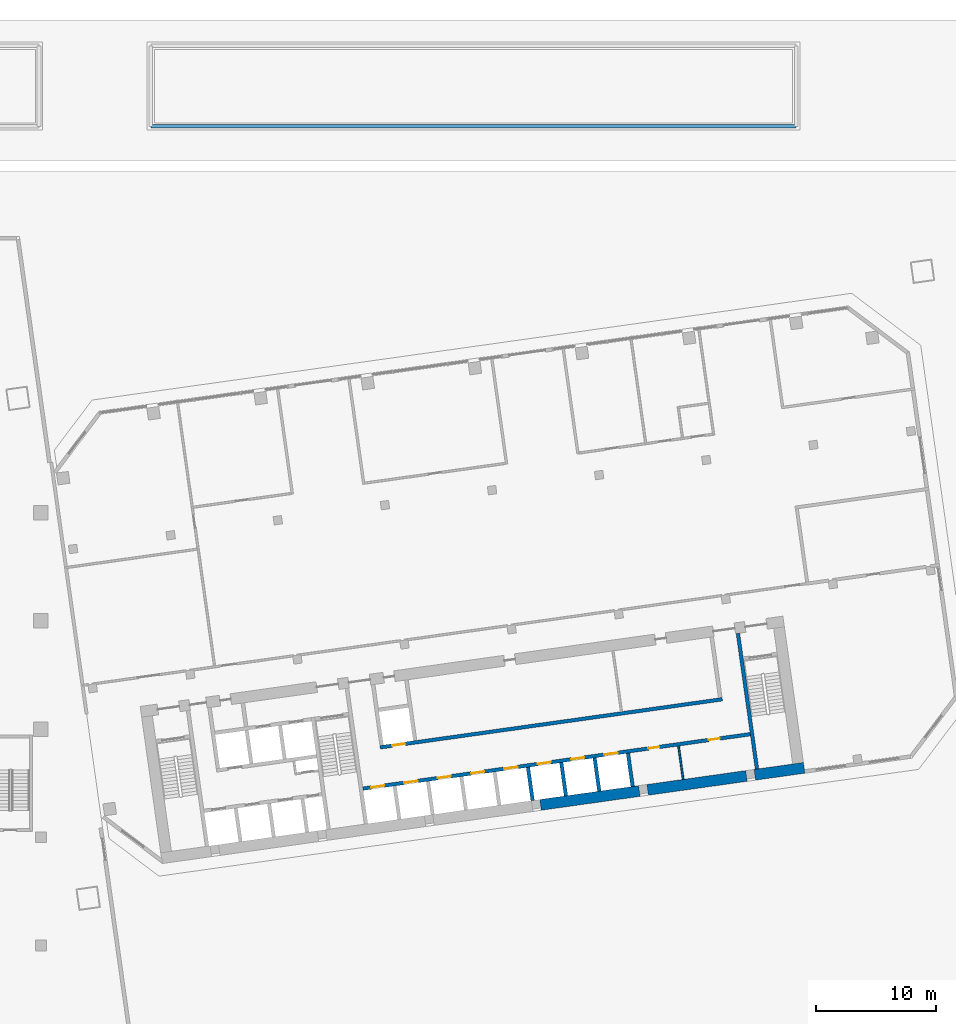
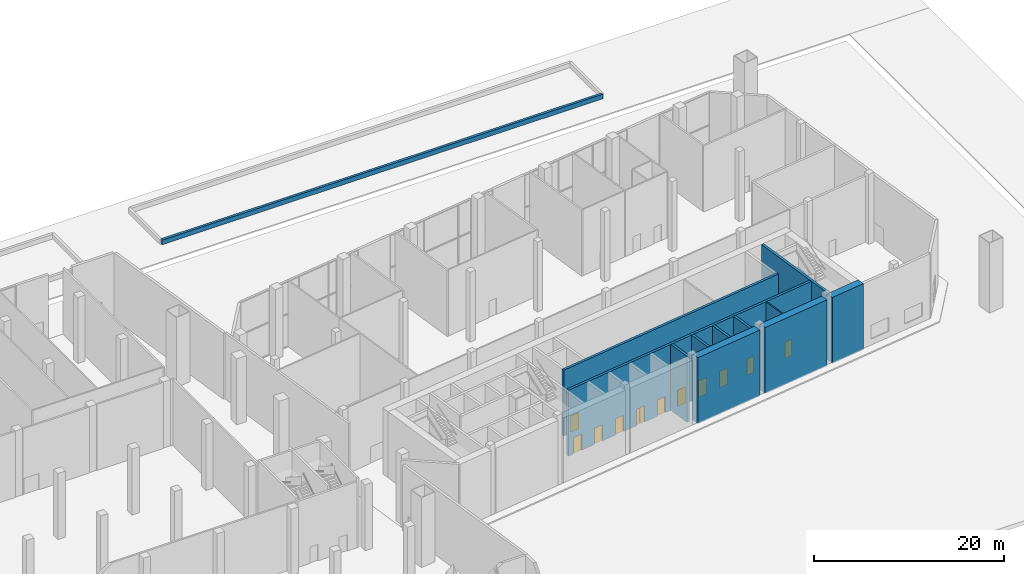
# One storey, part 27 of 34: 12 walls, 11 doors, 11 openings.
"""IFC4 building model written with IfcOpenShell, lengths in metres."""

from ifc_helpers import new_model, si_unit, direction, frame, frame_2d, origin, place, context, subcontext, project, spatial, rectangle, extrude, material, layer, layer_set, type_object, element, fill, save


model = new_model("IFC4")

# Units and contexts
model_context = context("Model", 3, precision=1e-05, world=origin(), true_north=direction((0.0, 1.0)))
body_context = subcontext(model_context, "Body", "Model", "MODEL_VIEW")
ifc_project = project(units=[si_unit("LENGTHUNIT", "METRE"), si_unit("AREAUNIT", "SQUARE_METRE"), si_unit("VOLUMEUNIT", "CUBIC_METRE"), si_unit("PLANEANGLEUNIT", "RADIAN"), si_unit("MASSUNIT", "GRAM", prefix="KILO")], contexts=[model_context])

# Site, building, storey
site_placement = place(None, origin())
site = spatial("IfcSite", under=ifc_project, at=site_placement, CompositionType="ELEMENT")
building_placement = place(site_placement, origin())
building = spatial("IfcBuilding", under=site, at=building_placement, Name="Mirante Cascada Hotel Towers", CompositionType="ELEMENT")
storey_placement = place(building_placement, origin())
storey = spatial("IfcBuildingStorey", under=building, at=storey_placement, Name="L00", CompositionType="ELEMENT", Elevation=0.0)

# Walls
ifc_material_1 = material(Name="Masonry block", Category="masonry")
ifc_layer_1 = layer(ifc_material_1, 0.15)
ifc_layer_set_1 = layer_set([ifc_layer_1], Name="Core room partition 150 block EI 30")
wall_type_1 = type_object("IfcWallType", Name="Core room partition 150 block EI 30", PredefinedType="PARTITIONING", material=ifc_layer_set_1)
wall_1_placement = place(storey_placement, frame((80.448, -13.1879, 0.0), z_axis=(0.0, 0.0, 1.0), x_axis=(-0.139176, 0.9902677, 0.0)))
element("IfcWall", 1, at=wall_1_placement, inside=storey, type_object=wall_type_1, Name="Core wall partition T2 L00 4", PredefinedType="PARTITIONING", context=body_context, shape_type="SweptSolid", body=[
    extrude(rectangle(XDim=2.8001, YDim=0.15, at=frame_2d((1.4, 0.0))), origin(), (0.0, 0.0, 1.0), 8.5),
])
ifc_material_2 = material(Name="Concrete C25/30", Category="concrete")
ifc_layer_2 = layer(ifc_material_2, 0.3)
ifc_layer_set_2 = layer_set([ifc_layer_2], Name="Planter kerb wall 300 concrete C25/30")
wall_type_2 = type_object("IfcWallType", Name="Planter kerb wall 300 concrete C25/30", PredefinedType="PARAPET", material=ifc_layer_set_2)
wall_2_placement = place(storey_placement, frame((36.15, 41.15, 0.0), z_axis=(0.0, 0.0, 1.0), x_axis=(1.0, 0.0, 0.0)))
element("IfcWall", 2, at=wall_2_placement, inside=storey, type_object=wall_type_2, Name="PLANTER garden court bed 4", PredefinedType="PARAPET", context=body_context, shape_type="SweptSolid", body=[
    extrude(rectangle(XDim=53.7, YDim=0.3, at=frame_2d((26.85, 0.0))), origin(), (0.0, 0.0, 1.0), 0.6),
])
ifc_material_3 = material(Name="Concrete C50/60", Category="concrete")
ifc_layer_3 = layer(ifc_material_3, 0.3)
ifc_layer_set_3 = layer_set([ifc_layer_3], Name="RC core wall 300 C50/60")
wall_type_3 = type_object("IfcWallType", Name="RC core wall 300 C50/60", PredefinedType="SHEAR", material=ifc_layer_set_3)
wall_3_placement = place(storey_placement, frame((86.5877, -12.325, 0.0), z_axis=(0.0, 0.0, 1.0), x_axis=(-0.1391749, 0.9902678, 0.0)))
element("IfcWall", 3, at=wall_3_placement, inside=storey, type_object=wall_type_3, Name="Core wall T2:L00:8", PredefinedType="SHEAR", context=body_context, shape_type="SweptSolid", body=[
    extrude(rectangle(XDim=11.4, YDim=0.3, at=frame_2d((5.7, 0.0))), origin(), (0.0, 0.0, 1.0), 8.5),
])

# Wall, openings, doors
wall_4_placement = place(storey_placement, frame((53.7953, -13.9547, 0.0), z_axis=(0.0, 0.0, 1.0), x_axis=(0.990268, 0.1391733, 0.0)))
wall_4 = element("IfcWall", 4, at=wall_4_placement, inside=storey, type_object=wall_type_3, Name="Core wall T2:L00:24", PredefinedType="SHEAR", context=body_context, shape_type="SweptSolid", body=[
    extrude(rectangle(XDim=32.5501, YDim=0.3, at=frame_2d((16.275, 0.0))), origin(), (0.0, 0.0, 1.0), 8.5),
])
opening_1_placement = place(wall_4_placement, frame((0.7, 0.0, 0.0)))
opening_1 = element("IfcOpeningElement", 5, at=opening_1_placement, cuts=wall_4, Name="Opening LD", PredefinedType="OPENING", context=body_context, shape_type="SweptSolid", body=[
    extrude(rectangle(XDim=1.1, YDim=2.1, at=frame_2d((0.55, 1.05))), frame((0.0, 0.15, 0.0), z_axis=(0.0, -1.0, 0.0), x_axis=(1.0, 0.0, 0.0)), (0.0, 0.0, 1.0), 0.3),
])
opening_2_placement = place(wall_4_placement, frame((3.5, 0.0, 0.0)))
opening_2 = element("IfcOpeningElement", 6, at=opening_2_placement, cuts=wall_4, Name="Opening LD", PredefinedType="OPENING", context=body_context, shape_type="SweptSolid", body=[
    extrude(rectangle(XDim=1.1, YDim=2.1, at=frame_2d((0.55, 1.05))), frame((0.0, 0.15, 0.0), z_axis=(0.0, -1.0, 0.0), x_axis=(1.0, 0.0, 0.0)), (0.0, 0.0, 1.0), 0.3),
])
opening_3_placement = place(wall_4_placement, frame((6.3, 0.0, 0.0)))
opening_3 = element("IfcOpeningElement", 7, at=opening_3_placement, cuts=wall_4, Name="Opening LD", PredefinedType="OPENING", context=body_context, shape_type="SweptSolid", body=[
    extrude(rectangle(XDim=1.1, YDim=2.1, at=frame_2d((0.55, 1.05))), frame((0.0, 0.15, 0.0), z_axis=(0.0, -1.0, 0.0), x_axis=(1.0, 0.0, 0.0)), (0.0, 0.0, 1.0), 0.3),
])
opening_4_placement = place(wall_4_placement, frame((9.1, 0.0, 0.0)))
opening_4 = element("IfcOpeningElement", 8, at=opening_4_placement, cuts=wall_4, Name="Opening LD", PredefinedType="OPENING", context=body_context, shape_type="SweptSolid", body=[
    extrude(rectangle(XDim=1.1, YDim=2.1, at=frame_2d((0.55, 1.05))), frame((0.0, 0.15, 0.0), z_axis=(0.0, -1.0, 0.0), x_axis=(1.0, 0.0, 0.0)), (0.0, 0.0, 1.0), 0.3),
])
opening_5_placement = place(wall_4_placement, frame((11.9, 0.0, 0.0)))
opening_5 = element("IfcOpeningElement", 9, at=opening_5_placement, cuts=wall_4, Name="Opening LD", PredefinedType="OPENING", context=body_context, shape_type="SweptSolid", body=[
    extrude(rectangle(XDim=1.1, YDim=2.1, at=frame_2d((0.55, 1.05))), frame((0.0, 0.15, 0.0), z_axis=(0.0, -1.0, 0.0), x_axis=(1.0, 0.0, 0.0)), (0.0, 0.0, 1.0), 0.3),
])
opening_6_placement = place(wall_4_placement, frame((14.7, 0.0, 0.0)))
opening_6 = element("IfcOpeningElement", 10, at=opening_6_placement, cuts=wall_4, Name="Opening LD", PredefinedType="OPENING", context=body_context, shape_type="SweptSolid", body=[
    extrude(rectangle(XDim=1.1, YDim=2.1, at=frame_2d((0.55, 1.05))), frame((0.0, 0.15, 0.0), z_axis=(0.0, -1.0, 0.0), x_axis=(1.0, 0.0, 0.0)), (0.0, 0.0, 1.0), 0.3),
])
opening_7_placement = place(wall_4_placement, frame((17.5, 0.0, 0.0)))
opening_7 = element("IfcOpeningElement", 11, at=opening_7_placement, cuts=wall_4, Name="Opening LD", PredefinedType="OPENING", context=body_context, shape_type="SweptSolid", body=[
    extrude(rectangle(XDim=1.1, YDim=2.1, at=frame_2d((0.55, 1.05))), frame((0.0, 0.15, 0.0), z_axis=(0.0, -1.0, 0.0), x_axis=(1.0, 0.0, 0.0)), (0.0, 0.0, 1.0), 0.3),
])
opening_8_placement = place(wall_4_placement, frame((20.3, 0.0, 0.0)))
opening_8 = element("IfcOpeningElement", 12, at=opening_8_placement, cuts=wall_4, Name="Opening LD", PredefinedType="OPENING", context=body_context, shape_type="SweptSolid", body=[
    extrude(rectangle(XDim=1.1, YDim=2.1, at=frame_2d((0.55, 1.05))), frame((0.0, 0.15, 0.0), z_axis=(0.0, -1.0, 0.0), x_axis=(1.0, 0.0, 0.0)), (0.0, 0.0, 1.0), 0.3),
])
opening_9_placement = place(wall_4_placement, frame((24.0, 0.0, 0.0)))
opening_9 = element("IfcOpeningElement", 13, at=opening_9_placement, cuts=wall_4, Name="Opening D2-00-C28", PredefinedType="OPENING", context=body_context, shape_type="SweptSolid", body=[
    extrude(rectangle(XDim=0.9, YDim=2.1, at=frame_2d((0.45, 1.05))), frame((0.0, 0.15, 0.0), z_axis=(0.0, -1.0, 0.0), x_axis=(1.0, 0.0, 0.0)), (0.0, 0.0, 1.0), 0.3),
])
opening_10_placement = place(wall_4_placement, frame((29.075, 0.0, 0.0)))
opening_10 = element("IfcOpeningElement", 14, at=opening_10_placement, cuts=wall_4, Name="Opening D2-00-C29", PredefinedType="OPENING", context=body_context, shape_type="SweptSolid", body=[
    extrude(rectangle(XDim=0.9, YDim=2.1, at=frame_2d((0.45, 1.05))), frame((0.0, 0.15, 0.0), z_axis=(0.0, -1.0, 0.0), x_axis=(1.0, 0.0, 0.0)), (0.0, 0.0, 1.0), 0.3),
])
ifc_material_4 = material(Name="Hollow metal fire door leaf")
door_type_1 = type_object("IfcDoorType", Name="Fire door 900x2100 FD60", OperationType="NOTDEFINED", PredefinedType="DOOR", material=ifc_material_4)
door_1_placement = place(opening_9_placement, frame((0.9, 0.0, 0.0), z_axis=(0.0, 0.0, 1.0), x_axis=(-1.0, 0.0, 0.0)))
door_1 = element("IfcDoor", 15, at=door_1_placement, inside=storey, type_object=door_type_1, Name="Room door T2 L00 28", OperationType="SINGLE_SWING_RIGHT", OverallHeight=2.1, OverallWidth=0.9, PredefinedType="DOOR", context=body_context, shape_type="SweptSolid", body=[
    extrude(rectangle(XDim=0.9, YDim=2.1, at=frame_2d((0.45, 1.05))), frame((0.0, 0.025, 0.0), z_axis=(0.0, -1.0, 0.0), x_axis=(1.0, 0.0, 0.0)), (0.0, 0.0, 1.0), 0.05),
])
fill(opening_9, door_1)
door_2_placement = place(opening_10_placement, frame((0.9, 0.0, 0.0), z_axis=(0.0, 0.0, 1.0), x_axis=(-1.0, 0.0, 0.0)))
door_2 = element("IfcDoor", 16, at=door_2_placement, inside=storey, type_object=door_type_1, Name="Room door T2 L00 29", OperationType="SINGLE_SWING_RIGHT", OverallHeight=2.1, OverallWidth=0.9, PredefinedType="DOOR", context=body_context, shape_type="SweptSolid", body=[
    extrude(rectangle(XDim=0.9, YDim=2.1, at=frame_2d((0.45, 1.05))), frame((0.0, 0.025, 0.0), z_axis=(0.0, -1.0, 0.0), x_axis=(1.0, 0.0, 0.0)), (0.0, 0.0, 1.0), 0.05),
])
fill(opening_10, door_2)
ifc_material_5 = material(Name="Stainless steel", Category="steel")
door_type_2 = type_object("IfcDoorType", Name="Lift landing door 1100x2100 EI 120", OperationType="DOUBLE_DOOR_SLIDING", PredefinedType="DOOR", material=ifc_material_5)
door_3_placement = place(opening_1_placement, origin())
door_3 = element("IfcDoor", 17, at=door_3_placement, inside=storey, type_object=door_type_2, Name="Lift landing door LR2-1 L00", OperationType="DOUBLE_DOOR_SLIDING", OverallHeight=2.1, OverallWidth=1.1, PredefinedType="DOOR", context=body_context, shape_type="SweptSolid", body=[
    extrude(rectangle(XDim=0.545, YDim=2.1, at=frame_2d((0.2725, 1.05))), frame((0.0, 0.025, 0.0), z_axis=(0.0, -1.0, 0.0), x_axis=(1.0, 0.0, 0.0)), (0.0, 0.0, 1.0), 0.05),
    extrude(rectangle(XDim=0.545, YDim=2.1, at=frame_2d((0.8275, 1.05))), frame((0.0, 0.025, 0.0), z_axis=(0.0, -1.0, 0.0), x_axis=(1.0, 0.0, 0.0)), (0.0, 0.0, 1.0), 0.05),
])
fill(opening_1, door_3)
door_4_placement = place(opening_2_placement, origin())
door_4 = element("IfcDoor", 18, at=door_4_placement, inside=storey, type_object=door_type_2, Name="Lift landing door LR2-2 L00", OperationType="DOUBLE_DOOR_SLIDING", OverallHeight=2.1, OverallWidth=1.1, PredefinedType="DOOR", context=body_context, shape_type="SweptSolid", body=[
    extrude(rectangle(XDim=0.545, YDim=2.1, at=frame_2d((0.2725, 1.05))), frame((0.0, 0.025, 0.0), z_axis=(0.0, -1.0, 0.0), x_axis=(1.0, 0.0, 0.0)), (0.0, 0.0, 1.0), 0.05),
    extrude(rectangle(XDim=0.545, YDim=2.1, at=frame_2d((0.8275, 1.05))), frame((0.0, 0.025, 0.0), z_axis=(0.0, -1.0, 0.0), x_axis=(1.0, 0.0, 0.0)), (0.0, 0.0, 1.0), 0.05),
])
fill(opening_2, door_4)
door_5_placement = place(opening_3_placement, origin())
door_5 = element("IfcDoor", 19, at=door_5_placement, inside=storey, type_object=door_type_2, Name="Lift landing door SV2-1 L00", OperationType="DOUBLE_DOOR_SLIDING", OverallHeight=2.1, OverallWidth=1.1, PredefinedType="DOOR", context=body_context, shape_type="SweptSolid", body=[
    extrude(rectangle(XDim=0.545, YDim=2.1, at=frame_2d((0.2725, 1.05))), frame((0.0, 0.025, 0.0), z_axis=(0.0, -1.0, 0.0), x_axis=(1.0, 0.0, 0.0)), (0.0, 0.0, 1.0), 0.05),
    extrude(rectangle(XDim=0.545, YDim=2.1, at=frame_2d((0.8275, 1.05))), frame((0.0, 0.025, 0.0), z_axis=(0.0, -1.0, 0.0), x_axis=(1.0, 0.0, 0.0)), (0.0, 0.0, 1.0), 0.05),
])
fill(opening_3, door_5)
door_6_placement = place(opening_4_placement, origin())
door_6 = element("IfcDoor", 20, at=door_6_placement, inside=storey, type_object=door_type_2, Name="Lift landing door SV2-2 L00", OperationType="DOUBLE_DOOR_SLIDING", OverallHeight=2.1, OverallWidth=1.1, PredefinedType="DOOR", context=body_context, shape_type="SweptSolid", body=[
    extrude(rectangle(XDim=0.545, YDim=2.1, at=frame_2d((0.2725, 1.05))), frame((0.0, 0.025, 0.0), z_axis=(0.0, -1.0, 0.0), x_axis=(1.0, 0.0, 0.0)), (0.0, 0.0, 1.0), 0.05),
    extrude(rectangle(XDim=0.545, YDim=2.1, at=frame_2d((0.8275, 1.05))), frame((0.0, 0.025, 0.0), z_axis=(0.0, -1.0, 0.0), x_axis=(1.0, 0.0, 0.0)), (0.0, 0.0, 1.0), 0.05),
])
fill(opening_4, door_6)
door_7_placement = place(opening_5_placement, origin())
door_7 = element("IfcDoor", 21, at=door_7_placement, inside=storey, type_object=door_type_2, Name="Lift landing door SV2-3 L00", OperationType="DOUBLE_DOOR_SLIDING", OverallHeight=2.1, OverallWidth=1.1, PredefinedType="DOOR", context=body_context, shape_type="SweptSolid", body=[
    extrude(rectangle(XDim=0.545, YDim=2.1, at=frame_2d((0.2725, 1.05))), frame((0.0, 0.025, 0.0), z_axis=(0.0, -1.0, 0.0), x_axis=(1.0, 0.0, 0.0)), (0.0, 0.0, 1.0), 0.05),
    extrude(rectangle(XDim=0.545, YDim=2.1, at=frame_2d((0.8275, 1.05))), frame((0.0, 0.025, 0.0), z_axis=(0.0, -1.0, 0.0), x_axis=(1.0, 0.0, 0.0)), (0.0, 0.0, 1.0), 0.05),
])
fill(opening_5, door_7)
door_8_placement = place(opening_6_placement, origin())
door_8 = element("IfcDoor", 22, at=door_8_placement, inside=storey, type_object=door_type_2, Name="Lift landing door SV2-4 L00", OperationType="DOUBLE_DOOR_SLIDING", OverallHeight=2.1, OverallWidth=1.1, PredefinedType="DOOR", context=body_context, shape_type="SweptSolid", body=[
    extrude(rectangle(XDim=0.545, YDim=2.1, at=frame_2d((0.2725, 1.05))), frame((0.0, 0.025, 0.0), z_axis=(0.0, -1.0, 0.0), x_axis=(1.0, 0.0, 0.0)), (0.0, 0.0, 1.0), 0.05),
    extrude(rectangle(XDim=0.545, YDim=2.1, at=frame_2d((0.8275, 1.05))), frame((0.0, 0.025, 0.0), z_axis=(0.0, -1.0, 0.0), x_axis=(1.0, 0.0, 0.0)), (0.0, 0.0, 1.0), 0.05),
])
fill(opening_6, door_8)
door_9_placement = place(opening_7_placement, origin())
door_9 = element("IfcDoor", 23, at=door_9_placement, inside=storey, type_object=door_type_2, Name="Lift landing door PS2-1 L00", OperationType="DOUBLE_DOOR_SLIDING", OverallHeight=2.1, OverallWidth=1.1, PredefinedType="DOOR", context=body_context, shape_type="SweptSolid", body=[
    extrude(rectangle(XDim=0.545, YDim=2.1, at=frame_2d((0.2725, 1.05))), frame((0.0, 0.025, 0.0), z_axis=(0.0, -1.0, 0.0), x_axis=(1.0, 0.0, 0.0)), (0.0, 0.0, 1.0), 0.05),
    extrude(rectangle(XDim=0.545, YDim=2.1, at=frame_2d((0.8275, 1.05))), frame((0.0, 0.025, 0.0), z_axis=(0.0, -1.0, 0.0), x_axis=(1.0, 0.0, 0.0)), (0.0, 0.0, 1.0), 0.05),
])
fill(opening_7, door_9)
door_10_placement = place(opening_8_placement, origin())
door_10 = element("IfcDoor", 24, at=door_10_placement, inside=storey, type_object=door_type_2, Name="Lift landing door PS2-2 L00", OperationType="DOUBLE_DOOR_SLIDING", OverallHeight=2.1, OverallWidth=1.1, PredefinedType="DOOR", context=body_context, shape_type="SweptSolid", body=[
    extrude(rectangle(XDim=0.545, YDim=2.1, at=frame_2d((0.2725, 1.05))), frame((0.0, 0.025, 0.0), z_axis=(0.0, -1.0, 0.0), x_axis=(1.0, 0.0, 0.0)), (0.0, 0.0, 1.0), 0.05),
    extrude(rectangle(XDim=0.545, YDim=2.1, at=frame_2d((0.8275, 1.05))), frame((0.0, 0.025, 0.0), z_axis=(0.0, -1.0, 0.0), x_axis=(1.0, 0.0, 0.0)), (0.0, 0.0, 1.0), 0.05),
])
fill(opening_8, door_10)

# Walls
for number, where, z_axis, x_axis, name in (
    (25, (67.9211, -14.9484, 0.0), (0.0, 0.0, 1.0), (-0.139181, 0.990267, 0.0), "Core wall T2:L00:29"),
    (26, (70.6939, -14.5587, 0.0), (0.0, 0.0, 1.0), (-0.139181, 0.990267, 0.0), "Core wall T2:L00:30"),
    (27, (73.4666, -14.169, 0.0), (0.0, 0.0, 1.0), (-0.139181, 0.990267, 0.0), "Core wall T2:L00:31"),
):
    element("IfcWall", number, at=place(storey_placement, frame(where, z_axis=z_axis, x_axis=x_axis)), inside=storey, type_object=wall_type_3, Name=name, PredefinedType="SHEAR", context=body_context, shape_type="SweptSolid", body=[
        extrude(rectangle(XDim=2.8, YDim=0.3, at=frame_2d((1.4, 0.0))), origin(), (0.0, 0.0, 1.0), 8.5),
    ])
wall_5_placement = place(storey_placement, frame((76.2394, -13.7794, 0.0), z_axis=(0.0, 0.0, 1.0), x_axis=(-0.139176, 0.9902677, 0.0)))
element("IfcWall", 28, at=wall_5_placement, inside=storey, type_object=wall_type_3, Name="Core wall T2:L00:32", PredefinedType="SHEAR", context=body_context, shape_type="SweptSolid", body=[
    extrude(rectangle(XDim=2.8001, YDim=0.3, at=frame_2d((1.4, 0.0))), origin(), (0.0, 0.0, 1.0), 8.5),
])

# Wall, opening, door
wall_6_placement = place(storey_placement, frame((55.2315, -10.5214, 0.0), z_axis=(0.0, 0.0, 1.0), x_axis=(0.9902682, 0.1391722, 0.0)))
wall_6 = element("IfcWall", 29, at=wall_6_placement, inside=storey, type_object=wall_type_3, Name="Core wall T2:L00:34", PredefinedType="SHEAR", context=body_context, shape_type="SweptSolid", body=[
    extrude(rectangle(XDim=28.75, YDim=0.3, at=frame_2d((14.375, 0.0))), origin(), (0.0, 0.0, 1.0), 8.5),
])
opening_11_placement = place(wall_6_placement, frame((1.0, 0.0, 0.0)))
opening_11 = element("IfcOpeningElement", 30, at=opening_11_placement, cuts=wall_6, Name="Opening LD", PredefinedType="OPENING", context=body_context, shape_type="SweptSolid", body=[
    extrude(rectangle(XDim=1.1, YDim=2.1, at=frame_2d((0.55, 1.05))), frame((0.0, 0.15, 0.0), z_axis=(0.0, -1.0, 0.0), x_axis=(1.0, 0.0, 0.0)), (0.0, 0.0, 1.0), 0.3),
])
door_11_placement = place(opening_11_placement, origin())
door_11 = element("IfcDoor", 31, at=door_11_placement, inside=storey, type_object=door_type_2, Name="Lift landing door LR2-3 L00", OperationType="DOUBLE_DOOR_SLIDING", OverallHeight=2.1, OverallWidth=1.1, PredefinedType="DOOR", context=body_context, shape_type="SweptSolid", body=[
    extrude(rectangle(XDim=0.545, YDim=2.1, at=frame_2d((0.2725, 1.05))), frame((0.0, 0.025, 0.0), z_axis=(0.0, -1.0, 0.0), x_axis=(1.0, 0.0, 0.0)), (0.0, 0.0, 1.0), 0.05),
    extrude(rectangle(XDim=0.545, YDim=2.1, at=frame_2d((0.8275, 1.05))), frame((0.0, 0.025, 0.0), z_axis=(0.0, -1.0, 0.0), x_axis=(1.0, 0.0, 0.0)), (0.0, 0.0, 1.0), 0.05),
])
fill(opening_11, door_11)

# Walls
ifc_material_6 = material(Name="Concrete C50/60", Category="concrete")
ifc_layer_4 = layer(ifc_material_6, 0.9)
ifc_layer_set_4 = layer_set([ifc_layer_4], Name="RC core wall 900 C50/60")
wall_type_4 = type_object("IfcWallType", Name="RC core wall 900 C50/60", PredefinedType="SHEAR", material=ifc_layer_set_4)
for number, where, z_axis, x_axis, name in (
    (32, (68.5779, -15.3105, 0.0), (0.0, 0.0, 1.0), (0.9902686, 0.1391692, 0.0), "Core wall T2:L00:1.5"),
    (33, (77.4903, -14.058, 0.0), (0.0, 0.0, 1.0), (0.990267, 0.139181, 0.0), "Core wall T2:L00:1.6"),
):
    element("IfcWall", number, at=place(storey_placement, frame(where, z_axis=z_axis, x_axis=x_axis)), inside=storey, type_object=wall_type_4, Name=name, PredefinedType="SHEAR", context=body_context, shape_type="SweptSolid", body=[
        extrude(rectangle(XDim=8.3, YDim=0.9, at=frame_2d((4.15, 0.0))), origin(), (0.0, 0.0, 1.0), 8.5),
    ])
wall_7_placement = place(storey_placement, frame((86.4027, -12.8054, 0.0), z_axis=(0.0, 0.0, 1.0), x_axis=(0.990267, 0.139181, 0.0)))
element("IfcWall", 34, at=wall_7_placement, inside=storey, type_object=wall_type_4, Name="Core wall T2:L00:1.7", PredefinedType="SHEAR", context=body_context, shape_type="SweptSolid", body=[
    extrude(rectangle(XDim=4.15, YDim=0.9, at=frame_2d((2.075, 0.0))), origin(), (0.0, 0.0, 1.0), 8.5),
])

save(model, "model.ifc")
